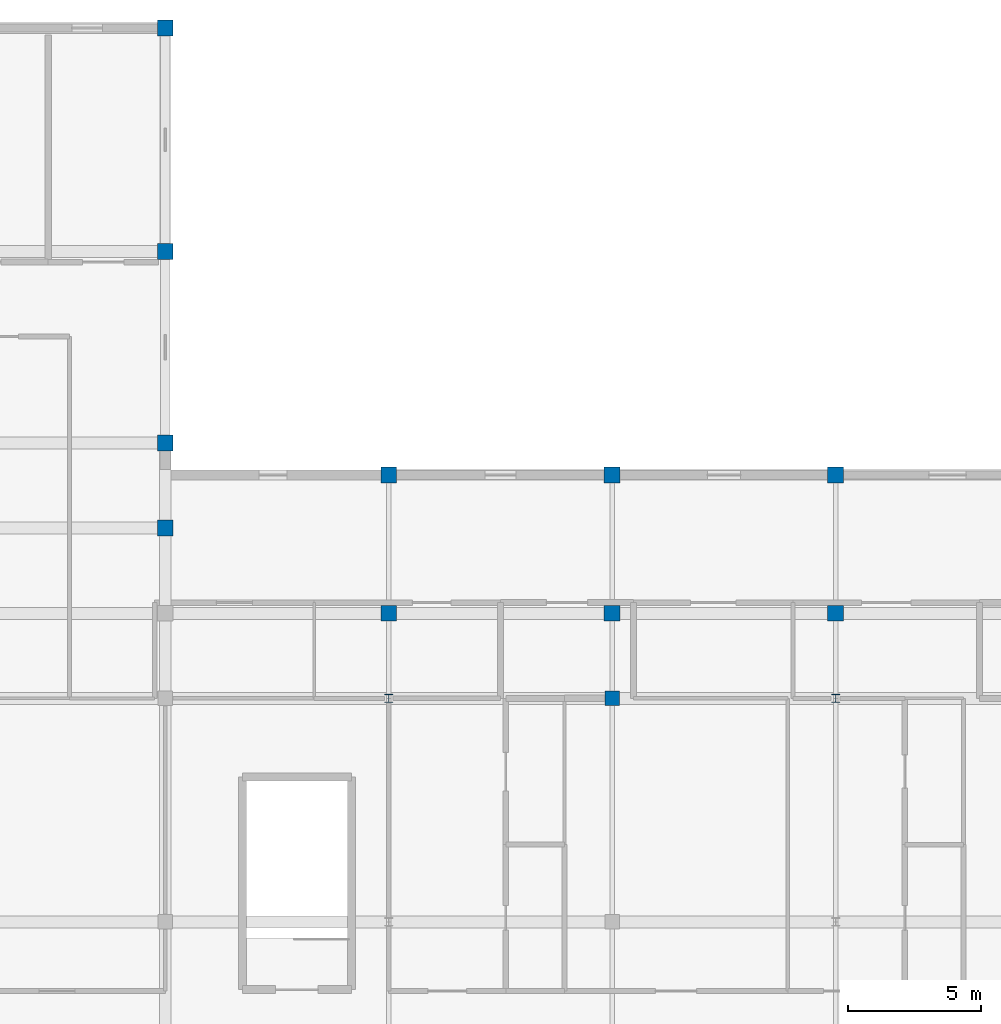
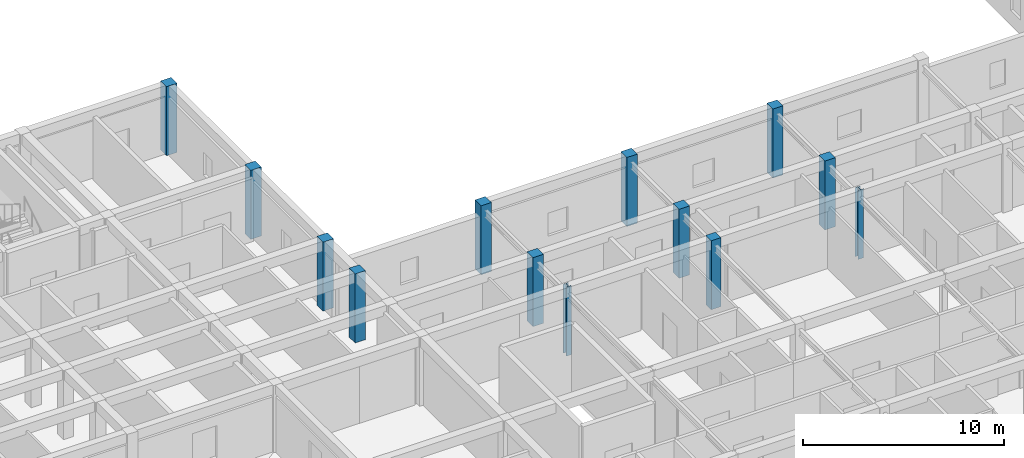
# One storey, part 4 of 42: 13 columns.
"""IFC4 building model written with IfcOpenShell, lengths in metres."""

from ifc_helpers import new_model, si_unit, direction, frame, origin, origin_2d, place, context, subcontext, project, spatial, rectangle, i_section, extrude, material, material_profile, profile_set, type_object, element, save


model = new_model("IFC4")

# Units and contexts
model_context = context("Model", 3, precision=1e-05, world=origin(), true_north=direction((0.0, 1.0)))
body_context = subcontext(model_context, "Body", "Model", "MODEL_VIEW")
ifc_project = project(units=[si_unit("LENGTHUNIT", "METRE"), si_unit("AREAUNIT", "SQUARE_METRE"), si_unit("VOLUMEUNIT", "CUBIC_METRE"), si_unit("PLANEANGLEUNIT", "RADIAN"), si_unit("MASSUNIT", "GRAM", prefix="KILO")], contexts=[model_context])

# Site, building, storey
site_placement = place(None, origin())
site = spatial("IfcSite", under=ifc_project, at=site_placement, CompositionType="ELEMENT")
building_placement = place(site_placement, origin())
building = spatial("IfcBuilding", under=site, at=building_placement, Name="Varncliffe General Hospital", CompositionType="ELEMENT")
storey_placement = place(building_placement, frame((0.0, 0.0, 20.39990234375)))
storey = spatial("IfcBuildingStorey", under=building, at=storey_placement, Name="L04", CompositionType="ELEMENT", Elevation=20.39990234375)

# Columns
ifc_material_1 = material(Name="Concrete C40/50 (CSA A23.1 40 MPa)", Category="concrete")
ifc_material_profile_1 = material_profile(ifc_material_1, rectangle(XDim=0.60009765625, YDim=0.60009765625, at=origin_2d()), Name="RC 600x600")
ifc_profile_set_1 = profile_set([ifc_material_profile_1], Name="Concrete C40/50 (CSA A23.1 40 MPa)")
column_type_1 = type_object("IfcColumnType", Name="Column C27 (Ext RC 600x600)", PredefinedType="COLUMN", material=ifc_profile_set_1)
for number, where, z_axis, x_axis, name in (
    (1, (67.199951171875, 109.199951171875, 0.0), (0.0, 0.0, 1.0), (1.0, 0.0, 0.0), "L04 Column C27"),
    (2, (67.199951171875, 116.39990234375, 0.0), (0.0, 0.0, 1.0), (1.0, 0.0, 0.0), "L04 Column C27"),
    (3, (67.199951171875, 124.800048828125, 0.0), (0.0, 0.0, 1.0), (1.0, 0.0, 0.0), "L04 Column C27"),
    (4, (75.60009765625, 108.0, 0.0), (0.0, 0.0, 1.0), (1.0, 0.0, 0.0), "L04 Column C27"),
    (5, (84.0, 108.0, 0.0), (0.0, 0.0, 1.0), (1.0, 0.0, 0.0), "L04 Column C27"),
    (6, (92.39990234375, 108.0, 0.0), (0.0, 0.0, 1.0), (1.0, 0.0, 0.0), "L04 Column C27"),
):
    element("IfcColumn", number, at=place(storey_placement, frame(where, z_axis=z_axis, x_axis=x_axis)), inside=storey, type_object=column_type_1, Name=name, PredefinedType="COLUMN", context=body_context, shape_type="SweptSolid", body=[
        extrude(rectangle(XDim=0.60009765625, YDim=0.60009765625, at=origin_2d()), origin(), (0.0, 0.0, 1.0), 4.2001953125),
    ])
ifc_material_2 = material(Name="Steel S355 (CSA G40.21 350W)", Category="steel")
ifc_material_profile_2 = material_profile(ifc_material_2, i_section(OverallWidth=0.304931640625, OverallDepth=0.30810546875, WebThickness=0.010009765625, FlangeThickness=0.015380859375, FilletRadius=0.014892578125, at=origin_2d()), Name="W310x97")
ifc_profile_set_2 = profile_set([ifc_material_profile_2], Name="Steel S355 (CSA G40.21 350W)")
column_type_2 = type_object("IfcColumnType", Name="Column C56 (Int W310x97)", PredefinedType="COLUMN", material=ifc_profile_set_2)
for number, where, z_axis, x_axis, name in (
    (7, (75.60009765625, 99.60009765625, 0.0), (0.0, 0.0, 1.0), (1.0, 0.0, 0.0), "L04 Column C56"),
    (8, (92.39990234375, 99.60009765625, 0.0), (0.0, 0.0, 1.0), (1.0, 0.0, 0.0), "L04 Column C56"),
):
    element("IfcColumn", number, at=place(storey_placement, frame(where, z_axis=z_axis, x_axis=x_axis)), inside=storey, type_object=column_type_2, Name=name, PredefinedType="COLUMN", context=body_context, shape_type="SweptSolid", body=[
        extrude(i_section(OverallWidth=0.304931640625, OverallDepth=0.30810546875, WebThickness=0.010009765625, FlangeThickness=0.015380859375, FilletRadius=0.014892578125, at=origin_2d()), origin(), (0.0, 0.0, 1.0), 4.2001953125),
    ])
ifc_material_profile_3 = material_profile(ifc_material_1, rectangle(XDim=0.60009765625, YDim=0.60009765625, at=origin_2d()), Name="RC 600x600")
ifc_profile_set_3 = profile_set([ifc_material_profile_3], Name="Concrete C40/50 (CSA A23.1 40 MPa)")
column_type_3 = type_object("IfcColumnType", Name="Column C82 (Int RC 600x600)", PredefinedType="COLUMN", material=ifc_profile_set_3)
for number, where, z_axis, x_axis, name in (
    (9, (67.199951171875, 106.0, 0.0), (0.0, 0.0, 1.0), (1.0, 0.0, 0.0), "L04 Column C82"),
    (10, (75.60009765625, 102.800048828125, 0.0), (0.0, 0.0, 1.0), (1.0, 0.0, 0.0), "L04 Column C82"),
    (11, (84.0, 102.800048828125, 0.0), (0.0, 0.0, 1.0), (1.0, 0.0, 0.0), "L04 Column C82"),
    (12, (92.39990234375, 102.800048828125, 0.0), (0.0, 0.0, 1.0), (1.0, 0.0, 0.0), "L04 Column C82"),
):
    element("IfcColumn", number, at=place(storey_placement, frame(where, z_axis=z_axis, x_axis=x_axis)), inside=storey, type_object=column_type_3, Name=name, PredefinedType="COLUMN", context=body_context, shape_type="SweptSolid", body=[
        extrude(rectangle(XDim=0.60009765625, YDim=0.60009765625, at=origin_2d()), origin(), (0.0, 0.0, 1.0), 4.2001953125),
    ])
ifc_material_profile_4 = material_profile(ifc_material_1, rectangle(XDim=0.550048828125, YDim=0.550048828125, at=origin_2d()), Name="RC 550x550")
ifc_profile_set_4 = profile_set([ifc_material_profile_4], Name="Concrete C40/50 (CSA A23.1 40 MPa)")
column_type_4 = type_object("IfcColumnType", Name="Column C85 (Int RC 550x550)", PredefinedType="COLUMN", material=ifc_profile_set_4)
column_placement = place(storey_placement, frame((84.0, 99.60009765625, 0.0), z_axis=(0.0, 0.0, 1.0), x_axis=(1.0, 0.0, 0.0)))
element("IfcColumn", 13, at=column_placement, inside=storey, type_object=column_type_4, Name="L04 Column C85", PredefinedType="COLUMN", context=body_context, shape_type="SweptSolid", body=[
    extrude(rectangle(XDim=0.550048828125, YDim=0.550048828125, at=origin_2d()), origin(), (0.0, 0.0, 1.0), 4.2001953125),
])

save(model, "model.ifc")
